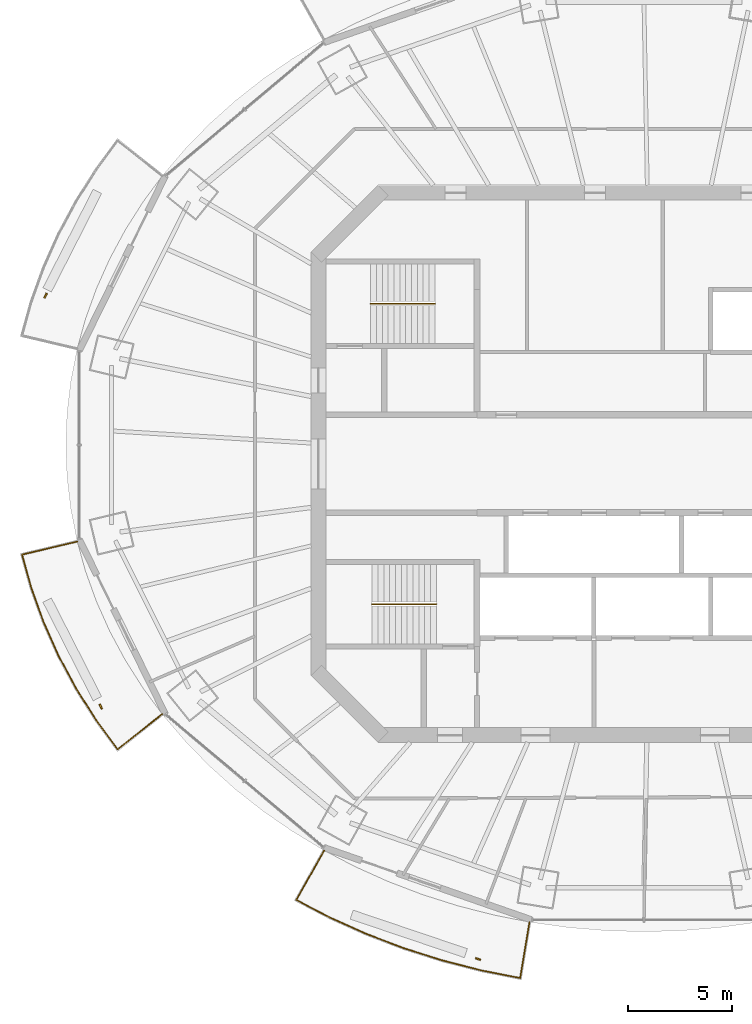
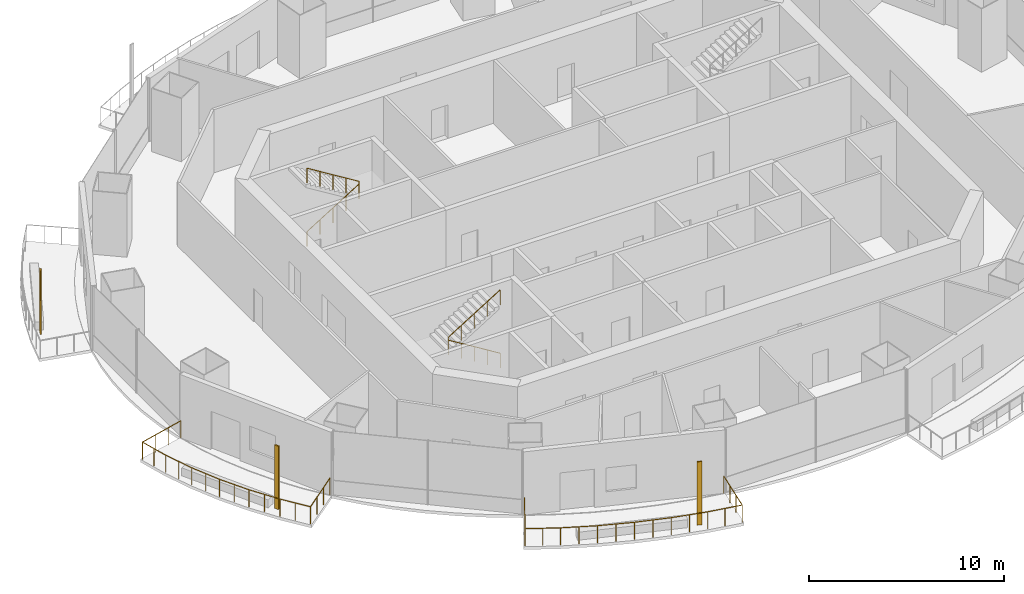
# One storey, part 12 of 16: 4 railings, 3 shading devices.
"""IFC4 building model written with IfcOpenShell, lengths in metres."""

from ifc_helpers import new_model, si_unit, direction, frame, origin, origin_2d, place, context, subcontext, project, spatial, rectangle, circle, extrude, material, material_profile, profile_set, type_object, element, save


model = new_model("IFC4")

# Units and contexts
model_context = context("Model", 3, precision=1e-05, world=origin(), true_north=direction((0.0, 1.0)))
body_context = subcontext(model_context, "Body", "Model", "MODEL_VIEW")
ifc_project = project(units=[si_unit("LENGTHUNIT", "METRE"), si_unit("AREAUNIT", "SQUARE_METRE"), si_unit("VOLUMEUNIT", "CUBIC_METRE"), si_unit("PLANEANGLEUNIT", "RADIAN"), si_unit("MASSUNIT", "GRAM", prefix="KILO")], contexts=[model_context])

# Site, building, storey
site_placement = place(None, origin())
site = spatial("IfcSite", under=ifc_project, at=site_placement, CompositionType="ELEMENT")
building_placement = place(site_placement, origin())
building = spatial("IfcBuilding", under=site, at=building_placement, Name="Marenthal Gate Tower", CompositionType="ELEMENT")
storey_placement = place(building_placement, frame((0.0, 0.0, 321.85009765625)))
storey = spatial("IfcBuildingStorey", under=building, at=storey_placement, Name="L72", CompositionType="ELEMENT", Elevation=321.85009765625)

# Railings
ifc_material_1 = material(Name="Stainless steel", Category="steel")
railing_type_1 = type_object("IfcRailingType", Name="Balcony guard 1100", PredefinedType="GUARDRAIL", material=ifc_material_1)
railing_1_placement = place(storey_placement, frame((-23.491455078125, -11.9970703125, 0.0)))
element("IfcRailing", 1, at=railing_1_placement, inside=storey, type_object=railing_type_1, Name="Balcony guard L72 bay 9", PredefinedType="GUARDRAIL", context=body_context, shape_type="SweptSolid", body=[
    extrude(circle(Radius=0.02392578125, at=origin_2d()), frame((0.0, 0.0, 1.076171875), z_axis=(-0.783447468662, -0.621283714267, -0.014717684406), x_axis=(0.621351013405, -0.783532333819, 0.0)), (0.0, 0.0, 1.0), 2.720458984375),
    extrude(circle(Radius=0.02392578125, at=origin_2d()), frame((-2.13134765625, -1.690185546875, 1.0361328125), z_axis=(-0.592690943458, 0.805429975568, 0.0), x_axis=(-0.805429975568, -0.592690943458, 0.0)), (0.0, 0.0, 1.0), 1.721435546875),
    extrude(circle(Radius=0.02392578125, at=origin_2d()), frame((-3.151611328125, -0.3037109375, 1.0361328125), z_axis=(-0.536035938593, 0.844195162588, 0.0), x_axis=(-0.844195162588, -0.536035938593, 0.0)), (0.0, 0.0, 1.0), 1.7880859375),
    extrude(circle(Radius=0.02392578125, at=origin_2d()), frame((-4.110107421875, 1.205810546875, 1.0361328125), z_axis=(-0.473944120716, 0.880554921875, 0.0), x_axis=(-0.880554921875, -0.473944120716, 0.0)), (0.0, 0.0, 1.0), 1.776611328125),
    extrude(circle(Radius=0.02392578125, at=origin_2d()), frame((-4.9521484375, 2.770263671875, 1.0361328125), z_axis=(-0.408087166089, 0.912942969124, 0.0), x_axis=(-0.912942969124, -0.408087166089, 0.0)), (0.0, 0.0, 1.0), 1.76611328125),
    extrude(circle(Radius=0.02392578125, at=origin_2d()), frame((-5.6728515625, 4.382568359375, 1.0361328125), z_axis=(-0.338940900894, 0.940807666689, 0.0), x_axis=(-0.940807666689, -0.338940900894, 0.0)), (0.0, 0.0, 1.0), 1.7568359375),
    extrude(circle(Radius=0.02392578125, at=origin_2d()), frame((-6.268310546875, 6.035400390625, 1.0361328125), z_axis=(-0.268631744924, 0.96324295254, 0.0), x_axis=(-0.96324295254, -0.268631744924, 0.0)), (0.0, 0.0, 1.0), 1.66943359375),
    extrude(circle(Radius=0.02392578125, at=origin_2d()), frame((-6.716796875, 7.6435546875, 1.0361328125), z_axis=(0.97315730439, 0.229669790827, 0.014718970573), x_axis=(-0.229694673631, 0.973262737859, 0.0)), (0.0, 0.0, 1.0), 2.72021484375),
    extrude(circle(Radius=0.02099609375, at=origin_2d()), origin(), (0.0, 0.0, 1.0), 1.052001953125),
    extrude(circle(Radius=0.02099609375, at=origin_2d()), frame((-0.71044921875, -0.5634765625, -0.013427734375)), (0.0, 0.0, 1.0), 1.052001953125),
    extrude(circle(Radius=0.02099609375, at=origin_2d()), frame((-1.4208984375, -1.126708984375, -0.026611328125)), (0.0, 0.0, 1.0), 1.052001953125),
    extrude(circle(Radius=0.02099609375, at=origin_2d()), frame((-2.13134765625, -1.690185546875, -0.0400390625)), (0.0, 0.0, 1.0), 1.052001953125),
    extrude(circle(Radius=0.02099609375, at=origin_2d()), frame((-2.6416015625, -0.9970703125, -0.0400390625)), (0.0, 0.0, 1.0), 1.052001953125),
    extrude(circle(Radius=0.02099609375, at=origin_2d()), frame((-3.151611328125, -0.3037109375, -0.0400390625)), (0.0, 0.0, 1.0), 1.052001953125),
    extrude(circle(Radius=0.02099609375, at=origin_2d()), frame((-3.630859375, 0.451171875, -0.0400390625)), (0.0, 0.0, 1.0), 1.052001953125),
    extrude(circle(Radius=0.02099609375, at=origin_2d()), frame((-4.110107421875, 1.205810546875, -0.0400390625)), (0.0, 0.0, 1.0), 1.052001953125),
    extrude(circle(Radius=0.02099609375, at=origin_2d()), frame((-4.53125, 1.988037109375, -0.0400390625)), (0.0, 0.0, 1.0), 1.052001953125),
    extrude(circle(Radius=0.02099609375, at=origin_2d()), frame((-4.9521484375, 2.770263671875, -0.0400390625)), (0.0, 0.0, 1.0), 1.052001953125),
    extrude(circle(Radius=0.02099609375, at=origin_2d()), frame((-5.3125, 3.576416015625, -0.0400390625)), (0.0, 0.0, 1.0), 1.052001953125),
    extrude(circle(Radius=0.02099609375, at=origin_2d()), frame((-5.6728515625, 4.382568359375, -0.0400390625)), (0.0, 0.0, 1.0), 1.052001953125),
    extrude(circle(Radius=0.02099609375, at=origin_2d()), frame((-5.970703125, 5.208984375, -0.0400390625)), (0.0, 0.0, 1.0), 1.052001953125),
    extrude(circle(Radius=0.02099609375, at=origin_2d()), frame((-6.268310546875, 6.035400390625, -0.0400390625)), (0.0, 0.0, 1.0), 1.052001953125),
    extrude(circle(Radius=0.02099609375, at=origin_2d()), frame((-6.49267578125, 6.83935546875, -0.0400390625)), (0.0, 0.0, 1.0), 1.052001953125),
    extrude(circle(Radius=0.02099609375, at=origin_2d()), frame((-6.716796875, 7.6435546875, -0.0400390625)), (0.0, 0.0, 1.0), 1.052001953125),
    extrude(circle(Radius=0.02099609375, at=origin_2d()), frame((-5.83447265625, 7.851806640625, -0.026611328125)), (0.0, 0.0, 1.0), 1.052001953125),
    extrude(circle(Radius=0.02099609375, at=origin_2d()), frame((-4.951904296875, 8.06005859375, -0.013427734375)), (0.0, 0.0, 1.0), 1.052001953125),
    extrude(circle(Radius=0.02099609375, at=origin_2d()), frame((-4.069580078125, 8.268310546875, 0.0)), (0.0, 0.0, 1.0), 1.052001953125),
])
railing_2_placement = place(storey_placement, frame((-5.88525390625, -21.965576171875, 0.0)))
element("IfcRailing", 2, at=railing_2_placement, inside=storey, type_object=railing_type_1, Name="Balcony guard L72 bay 11", PredefinedType="GUARDRAIL", context=body_context, shape_type="SweptSolid", body=[
    extrude(circle(Radius=0.02392578125, at=origin_2d()), frame((0.0, 0.0, 1.076171875), z_axis=(-0.165225230724, -0.986146026723, -0.014718597414), x_axis=(0.986252861995, -0.165243130591, 0.0)), (0.0, 0.0, 1.0), 2.72021484375),
    extrude(circle(Radius=0.02392578125, at=origin_2d()), frame((-0.449462890625, -2.6826171875, 1.0361328125), z_axis=(-0.981044354343, 0.193783319228, 0.0), x_axis=(-0.193783319228, -0.981044354343, 0.0)), (0.0, 0.0, 1.0), 1.8720703125),
    extrude(circle(Radius=0.02392578125, at=origin_2d()), frame((-2.2861328125, -2.31982421875, 1.0361328125), z_axis=(-0.968904264382, 0.247435903744, 0.0), x_axis=(-0.247435903744, -0.968904264382, 0.0)), (0.0, 0.0, 1.0), 1.94482421875),
    extrude(circle(Radius=0.02392578125, at=origin_2d()), frame((-4.17041015625, -1.838623046875, 1.0361328125), z_axis=(-0.953294423238, 0.302042617232, 0.0), x_axis=(-0.302042617232, -0.953294423238, 0.0)), (0.0, 0.0, 1.0), 1.935791015625),
    extrude(circle(Radius=0.02392578125, at=origin_2d()), frame((-6.015869140625, -1.25390625, 1.0361328125), z_axis=(-0.934345067438, 0.356369604419, 0.0), x_axis=(-0.356369604419, -0.934345067438, 0.0)), (0.0, 0.0, 1.0), 1.92578125),
    extrude(circle(Radius=0.02392578125, at=origin_2d()), frame((-7.815185546875, -0.567626953125, 1.0361328125), z_axis=(-0.911923891931, 0.410359373387, 0.0), x_axis=(-0.410359373387, -0.911923891931, 0.0)), (0.0, 0.0, 1.0), 1.913818359375),
    extrude(circle(Radius=0.02392578125, at=origin_2d()), frame((-9.560546875, 0.2177734375, 1.0361328125), z_axis=(-0.886546608419, 0.462639288324, 0.0), x_axis=(-0.462639288324, -0.886546608419, 0.0)), (0.0, 0.0, 1.0), 1.82177734375),
    extrude(circle(Radius=0.02392578125, at=origin_2d()), frame((-11.175537109375, 1.060546875, 1.0361328125), z_axis=(0.490566018996, 0.871279713211, 0.014718775543), x_axis=(-0.871374106592, 0.49061916632, 0.0)), (0.0, 0.0, 1.0), 2.72021484375),
    extrude(circle(Radius=0.02099609375, at=origin_2d()), origin(), (0.0, 0.0, 1.0), 1.052001953125),
    extrude(circle(Radius=0.02099609375, at=origin_2d()), frame((-0.14990234375, -0.894287109375, -0.013427734375)), (0.0, 0.0, 1.0), 1.052001953125),
    extrude(circle(Radius=0.02099609375, at=origin_2d()), frame((-0.299560546875, -1.788330078125, -0.026611328125)), (0.0, 0.0, 1.0), 1.052001953125),
    extrude(circle(Radius=0.02099609375, at=origin_2d()), frame((-0.449462890625, -2.6826171875, -0.0400390625)), (0.0, 0.0, 1.0), 1.052001953125),
    extrude(circle(Radius=0.02099609375, at=origin_2d()), frame((-1.36767578125, -2.501220703125, -0.0400390625)), (0.0, 0.0, 1.0), 1.052001953125),
    extrude(circle(Radius=0.02099609375, at=origin_2d()), frame((-2.2861328125, -2.31982421875, -0.0400390625)), (0.0, 0.0, 1.0), 1.052001953125),
    extrude(circle(Radius=0.02099609375, at=origin_2d()), frame((-3.228271484375, -2.0791015625, -0.0400390625)), (0.0, 0.0, 1.0), 1.052001953125),
    extrude(circle(Radius=0.02099609375, at=origin_2d()), frame((-4.17041015625, -1.838623046875, -0.0400390625)), (0.0, 0.0, 1.0), 1.052001953125),
    extrude(circle(Radius=0.02099609375, at=origin_2d()), frame((-5.09326171875, -1.54638671875, -0.0400390625)), (0.0, 0.0, 1.0), 1.052001953125),
    extrude(circle(Radius=0.02099609375, at=origin_2d()), frame((-6.015869140625, -1.25390625, -0.0400390625)), (0.0, 0.0, 1.0), 1.052001953125),
    extrude(circle(Radius=0.02099609375, at=origin_2d()), frame((-6.91552734375, -0.91064453125, -0.0400390625)), (0.0, 0.0, 1.0), 1.052001953125),
    extrude(circle(Radius=0.02099609375, at=origin_2d()), frame((-7.815185546875, -0.567626953125, -0.0400390625)), (0.0, 0.0, 1.0), 1.052001953125),
    extrude(circle(Radius=0.02099609375, at=origin_2d()), frame((-8.68798828125, -0.1748046875, -0.0400390625)), (0.0, 0.0, 1.0), 1.052001953125),
    extrude(circle(Radius=0.02099609375, at=origin_2d()), frame((-9.560546875, 0.2177734375, -0.0400390625)), (0.0, 0.0, 1.0), 1.052001953125),
    extrude(circle(Radius=0.02099609375, at=origin_2d()), frame((-10.3681640625, 0.63916015625, -0.0400390625)), (0.0, 0.0, 1.0), 1.052001953125),
    extrude(circle(Radius=0.02099609375, at=origin_2d()), frame((-11.175537109375, 1.060546875, -0.0400390625)), (0.0, 0.0, 1.0), 1.052001953125),
    extrude(circle(Radius=0.02099609375, at=origin_2d()), frame((-10.730712890625, 1.8505859375, -0.026611328125)), (0.0, 0.0, 1.0), 1.052001953125),
    extrude(circle(Radius=0.02099609375, at=origin_2d()), frame((-10.285888671875, 2.640625, -0.013427734375)), (0.0, 0.0, 1.0), 1.052001953125),
    extrude(circle(Radius=0.02099609375, at=origin_2d()), frame((-9.841064453125, 3.4306640625, 0.0)), (0.0, 0.0, 1.0), 1.052001953125),
])
ifc_material_2 = material(Name="Stainless steel", Category="steel")
railing_type_2 = type_object("IfcRailingType", Name="Stair handrail", PredefinedType="HANDRAIL", material=ifc_material_2)
railing_3_placement = place(storey_placement, frame((-13.5, 7.675048828125, 0.1728515625)))
element("IfcRailing", 3, at=railing_3_placement, inside=storey, type_object=railing_type_2, Name="Handrail ST1", PredefinedType="HANDRAIL", context=body_context, shape_type="SweptSolid", body=[
    extrude(circle(Radius=0.0224609375, at=origin_2d()), frame((0.0, 0.0, 0.927490234375), z_axis=(0.850835241893, 0.0, 0.525432575268), x_axis=(0.0, 1.0, 0.0)), (0.0, 0.0, 1.0), 3.6201171875),
    extrude(circle(Radius=0.0224609375, at=origin_2d()), frame((3.080078125, 0.0, 2.82958984375), z_axis=(0.0, 0.0, 1.0), x_axis=(1.0, 0.0, 0.0)), (0.0, 0.0, 1.0), 0.1728515625),
    extrude(circle(Radius=0.0224609375, at=origin_2d()), frame((3.080078125, 0.0, 3.00244140625), z_axis=(-0.850835241893, 0.0, 0.525432575268), x_axis=(0.0, -1.0, 0.0)), (0.0, 0.0, 1.0), 3.6201171875),
    extrude(circle(Radius=0.02001953125, at=origin_2d()), origin(), (0.0, 0.0, 1.0), 0.905029296875),
    extrude(circle(Radius=0.02001953125, at=origin_2d()), frame((0.77001953125, 0.0, 0.4755859375)), (0.0, 0.0, 1.0), 0.905029296875),
    extrude(circle(Radius=0.02001953125, at=origin_2d()), frame((1.5400390625, 0.0, 0.951171875)), (0.0, 0.0, 1.0), 0.905029296875),
    extrude(circle(Radius=0.02001953125, at=origin_2d()), frame((2.31005859375, 0.0, 1.426513671875)), (0.0, 0.0, 1.0), 0.905029296875),
    extrude(circle(Radius=0.02001953125, at=origin_2d()), frame((3.080078125, 0.0, 1.902099609375)), (0.0, 0.0, 1.0), 0.905029296875),
    extrude(circle(Radius=0.02001953125, at=origin_2d()), frame((3.080078125, 0.0, 2.074951171875)), (0.0, 0.0, 1.0), 0.905029296875),
    extrude(circle(Radius=0.02001953125, at=origin_2d()), frame((2.31005859375, 0.0, 2.550537109375)), (0.0, 0.0, 1.0), 0.905029296875),
    extrude(circle(Radius=0.02001953125, at=origin_2d()), frame((1.5400390625, 0.0, 3.02587890625)), (0.0, 0.0, 1.0), 0.905029296875),
    extrude(circle(Radius=0.02001953125, at=origin_2d()), frame((0.77001953125, 0.0, 3.50146484375)), (0.0, 0.0, 1.0), 0.905029296875),
    extrude(circle(Radius=0.02001953125, at=origin_2d()), frame((0.0, 0.0, 3.97705078125)), (0.0, 0.0, 1.0), 0.905029296875),
])
railing_4_placement = place(storey_placement, frame((-10.35009765625, -6.72509765625, 0.1728515625)))
element("IfcRailing", 4, at=railing_4_placement, inside=storey, type_object=railing_type_2, Name="Handrail ST2", PredefinedType="HANDRAIL", context=body_context, shape_type="SweptSolid", body=[
    extrude(circle(Radius=0.0224609375, at=origin_2d()), frame((0.0, 0.0, 0.927490234375), z_axis=(-0.850816621229, 0.0, 0.525462726595), x_axis=(0.0, -1.0, 0.0)), (0.0, 0.0, 1.0), 3.619873046875),
    extrude(circle(Radius=0.0224609375, at=origin_2d()), frame((-3.079833984375, 0.0, 2.82958984375), z_axis=(0.0, 0.0, 1.0), x_axis=(1.0, 0.0, 0.0)), (0.0, 0.0, 1.0), 0.1728515625),
    extrude(circle(Radius=0.0224609375, at=origin_2d()), frame((-3.079833984375, 0.0, 3.00244140625), z_axis=(0.850816621229, 0.0, 0.525462726595), x_axis=(0.0, 1.0, 0.0)), (0.0, 0.0, 1.0), 3.619873046875),
    extrude(circle(Radius=0.02001953125, at=origin_2d()), origin(), (0.0, 0.0, 1.0), 0.905029296875),
    extrude(circle(Radius=0.02001953125, at=origin_2d()), frame((-0.77001953125, 0.0, 0.4755859375)), (0.0, 0.0, 1.0), 0.905029296875),
    extrude(circle(Radius=0.02001953125, at=origin_2d()), frame((-1.5400390625, 0.0, 0.951171875)), (0.0, 0.0, 1.0), 0.905029296875),
    extrude(circle(Radius=0.02001953125, at=origin_2d()), frame((-2.309814453125, 0.0, 1.426513671875)), (0.0, 0.0, 1.0), 0.905029296875),
    extrude(circle(Radius=0.02001953125, at=origin_2d()), frame((-3.079833984375, 0.0, 1.902099609375)), (0.0, 0.0, 1.0), 0.905029296875),
    extrude(circle(Radius=0.02001953125, at=origin_2d()), frame((-3.079833984375, 0.0, 2.074951171875)), (0.0, 0.0, 1.0), 0.905029296875),
    extrude(circle(Radius=0.02001953125, at=origin_2d()), frame((-2.309814453125, 0.0, 2.550537109375)), (0.0, 0.0, 1.0), 0.905029296875),
    extrude(circle(Radius=0.02001953125, at=origin_2d()), frame((-1.5400390625, 0.0, 3.02587890625)), (0.0, 0.0, 1.0), 0.905029296875),
    extrude(circle(Radius=0.02001953125, at=origin_2d()), frame((-0.77001953125, 0.0, 3.50146484375)), (0.0, 0.0, 1.0), 0.905029296875),
    extrude(circle(Radius=0.02001953125, at=origin_2d()), frame((0.0, 0.0, 3.97705078125)), (0.0, 0.0, 1.0), 0.905029296875),
])

# Shading devices
ifc_material_3 = material(Name="Terracotta", Category="masonry")
ifc_material_profile = material_profile(ifc_material_3, rectangle(XDim=0.25, YDim=0.080078125, at=origin_2d()), Name="Terracotta baguette 250x80")
ifc_profile_set = profile_set([ifc_material_profile], Name="Terracotta")
shading_device_type = type_object("IfcShadingDeviceType", Name="Terracotta BAGUETTE SCREEN 250x80", PredefinedType="USERDEFINED", material=ifc_profile_set)
for number, where, z_axis, x_axis, name in (
    (5, (-29.077880859375, 8.063232421875, -0.0400390625), (0.0, 0.0, 1.0), (-0.441395261574, -0.897312778834, 0.0), "Terracotta BAGUETTE L72 bay 7R"),
    (6, (-26.43359375, -11.638916015625, -0.0400390625), (0.0, 0.0, 1.0), (0.441395261574, -0.897312778834, 0.0), "Terracotta BAGUETTE L72 bay 9R"),
    (7, (-8.350341796875, -23.733154296875, -0.0400390625), (0.0, 0.0, 1.0), (0.944213856974, -0.329332950521, 0.0), "Terracotta BAGUETTE L72 bay 11R"),
):
    element("IfcShadingDevice", number, at=place(storey_placement, frame(where, z_axis=z_axis, x_axis=x_axis)), inside=storey, type_object=shading_device_type, Name=name, ObjectType="BAGUETTE SCREEN", PredefinedType="USERDEFINED", context=body_context, shape_type="SweptSolid", body=[
        extrude(rectangle(XDim=0.25, YDim=0.080078125, at=origin_2d()), origin(), (0.0, 0.0, 1.0), 3.969970703125),
    ])

save(model, "model.ifc")
